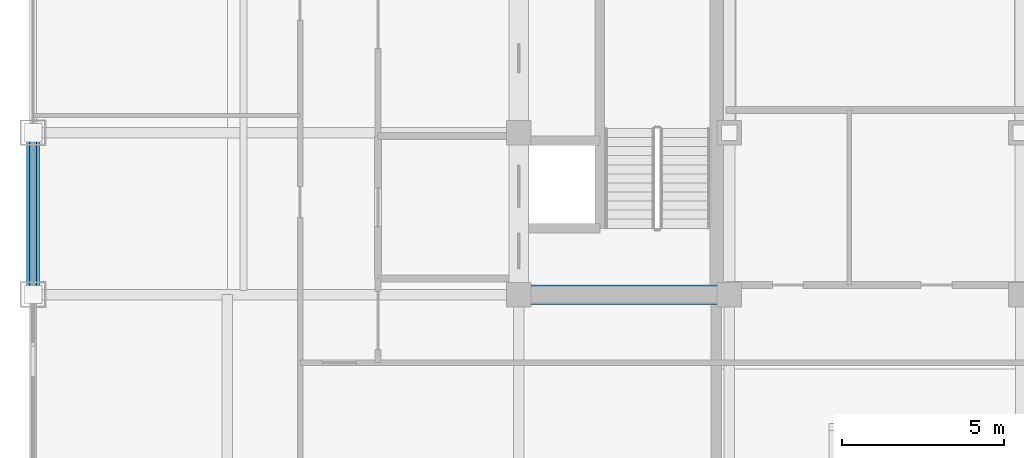
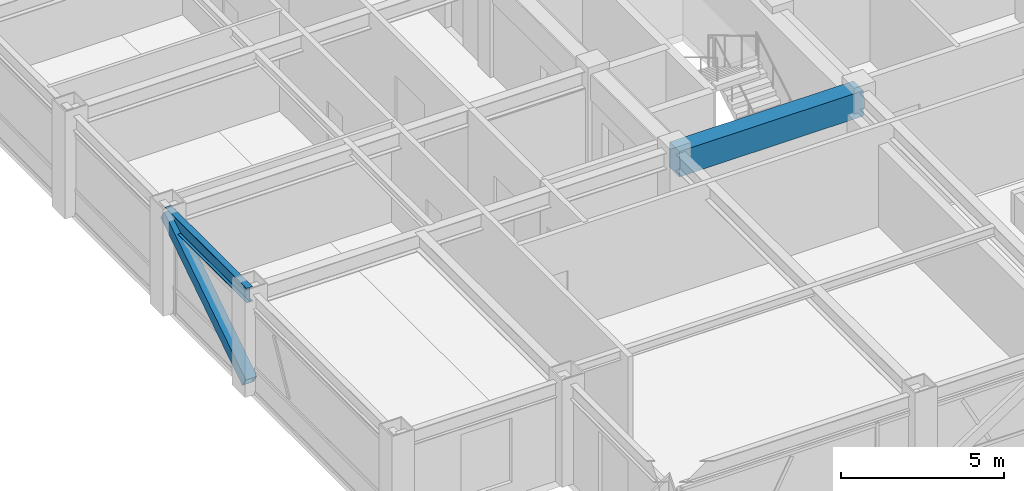
# One storey, part 6 of 29: 2 beams, 1 member.
"""IFC4 building model written with IfcOpenShell, lengths in metres."""

from ifc_helpers import new_model, si_unit, direction, frame, origin, origin_2d, place, context, subcontext, project, spatial, rectangle, hollow_rectangle, i_section, extrude, source, transform, mapped, material, material_profile, profile_set, type_object, element, save


model = new_model("IFC4")

# Units and contexts
model_context = context("Model", 3, precision=1e-05, world=origin(), true_north=direction((0.0, 1.0)))
body_context = subcontext(model_context, "Body", "Model", "MODEL_VIEW")
ifc_project = project(units=[si_unit("LENGTHUNIT", "METRE"), si_unit("AREAUNIT", "SQUARE_METRE"), si_unit("VOLUMEUNIT", "CUBIC_METRE"), si_unit("PLANEANGLEUNIT", "RADIAN"), si_unit("MASSUNIT", "GRAM", prefix="KILO")], contexts=[model_context])

# Site, building, storey
site_placement = place(None, origin())
site = spatial("IfcSite", under=ifc_project, at=site_placement, CompositionType="ELEMENT")
building_placement = place(site_placement, origin())
building = spatial("IfcBuilding", under=site, at=building_placement, Name="Khorayat Bourse Tower", CompositionType="ELEMENT")
storey_placement = place(building_placement, frame((0.0, 0.0, 346.300048828125)))
storey = spatial("IfcBuildingStorey", under=building, at=storey_placement, Name="L82", CompositionType="ELEMENT", Elevation=346.300048828125)

# Beams
ifc_material_1 = material(Name="Concrete C60/75", Category="concrete")
ifc_material_profile_1 = material_profile(ifc_material_1, rectangle(XDim=0.60009765625, YDim=0.949951171875, at=origin_2d()), Name="RC 600x950")
ifc_profile_set_1 = profile_set([ifc_material_profile_1], Name="Concrete C60/75")
beam_type_1 = type_object("IfcBeamType", Name="BM-COUP-950", PredefinedType="BEAM", material=ifc_profile_set_1)
shared_shape_1 = source(origin(), body_context, "Body", "SweptSolid", [
    extrude(rectangle(XDim=0.60009765625, YDim=0.949951171875, at=origin_2d()), origin(), (0.0, 0.0, 1.0), 6.5),
])
beam_1_placement = place(storey_placement, frame((-11.0, -11.0, 3.264892578125), z_axis=(1.0, 0.0, 0.0), x_axis=(0.0, 1.0, 0.0)))
element("IfcBeam", 1, at=beam_1_placement, inside=storey, type_object=beam_type_1, Name="L82 BM-COUP-950 BM-L82-CRY-17", PredefinedType="BEAM", context=body_context, shape_type="MappedRepresentation", body=[
    mapped(shared_shape_1, transform((0.0, 0.0, 0.0), scale=1.0)),
])
ifc_material_2 = material(Name="Steel ASTM A992 Grade 50", Category="steel")
ifc_material_profile_2 = material_profile(ifc_material_2, i_section(OverallWidth=0.214111328125, OverallDepth=0.549072265625, WebThickness=0.0146484375, FlangeThickness=0.023681640625, FilletRadius=0.013916015625, at=origin_2d()), Name="W530X138")
ifc_profile_set_2 = profile_set([ifc_material_profile_2], Name="Steel ASTM A992 Grade 50")
beam_type_2 = type_object("IfcBeamType", Name="BM-SPAN-530", PredefinedType="SPANDREL", material=ifc_profile_set_2)
shared_shape_2 = source(origin(), body_context, "Body", "SweptSolid", [
    extrude(i_section(OverallWidth=0.214111328125, OverallDepth=0.549072265625, WebThickness=0.0146484375, FlangeThickness=0.023681640625, FilletRadius=0.013916015625, at=origin_2d()), origin(), (0.0, 0.0, 1.0), 5.0),
])
beam_2_placement = place(storey_placement, frame((-26.0, -11.0, 3.46533203125), z_axis=(0.0, 1.0, 0.0), x_axis=(-1.0, 0.0, 0.0)))
element("IfcBeam", 2, at=beam_2_placement, inside=storey, type_object=beam_type_2, Name="L82 BM-SPAN-530 BM-L82-SPN-049", PredefinedType="SPANDREL", context=body_context, shape_type="MappedRepresentation", body=[
    mapped(shared_shape_2, transform((0.0, 0.0, 0.0), scale=1.0)),
])

# Member
ifc_material_3 = material(Name="Steel EN 10025-4 S460M", Category="steel")
ifc_material_profile_3 = material_profile(ifc_material_3, hollow_rectangle(XDim=0.39990234375, YDim=0.39990234375, WallThickness=0.02197265625, at=origin_2d()), Name="HSS 400x400x22")
ifc_profile_set_3 = profile_set([ifc_material_profile_3], Name="Steel EN 10025-4 S460M")
member_type = type_object("IfcMemberType", Name="MBR-TUBE-400", PredefinedType="BRACE", material=ifc_profile_set_3)
shared_shape_3 = source(origin(), body_context, "Body", "SweptSolid", [
    extrude(hollow_rectangle(XDim=0.39990234375, YDim=0.39990234375, WallThickness=0.02197265625, at=origin_2d()), origin(), (0.0, 0.0, 1.0), 5.9580078125),
])
member_placement = place(storey_placement, frame((-26.0, -11.0, 0.25), z_axis=(0.0, 0.839210474455, 0.543806748364), x_axis=(-1.0, 0.0, 0.0)))
element("IfcMember", 3, at=member_placement, inside=storey, type_object=member_type, Name="L82 Perimeter Tube Brace 05", PredefinedType="BRACE", context=body_context, shape_type="MappedRepresentation", body=[
    mapped(shared_shape_3, transform((0.0, 0.0, 0.0), scale=1.0)),
])

save(model, "model.ifc")
